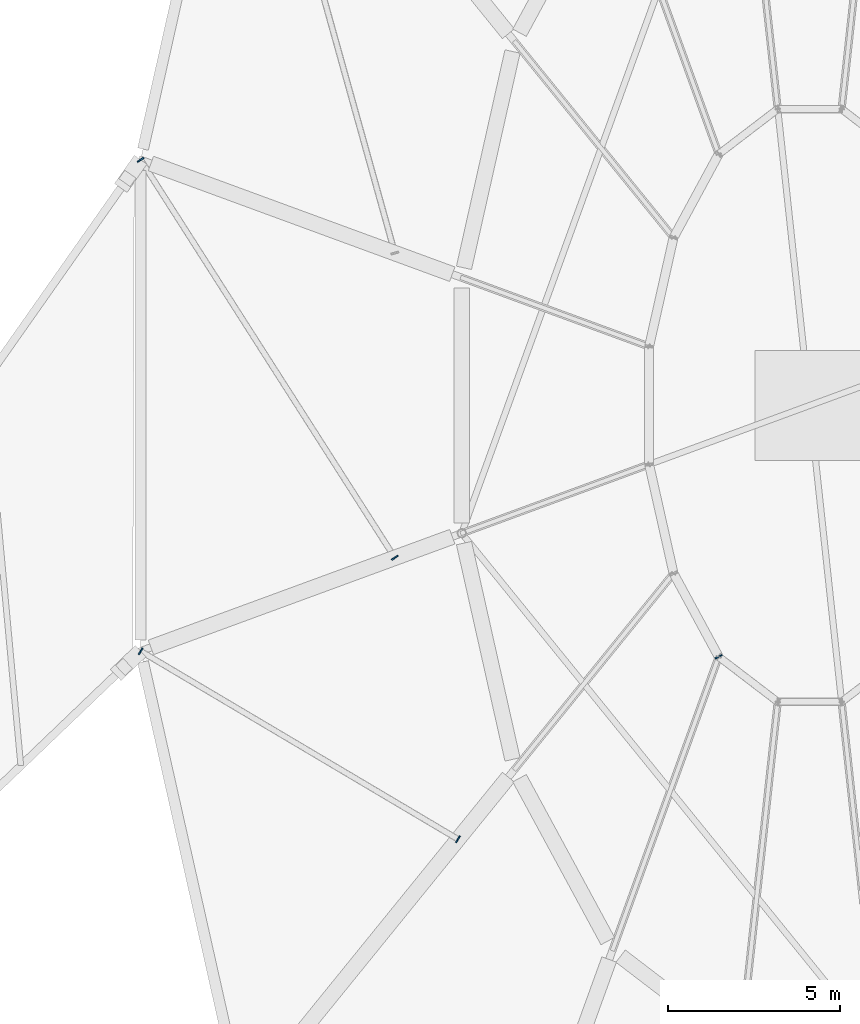
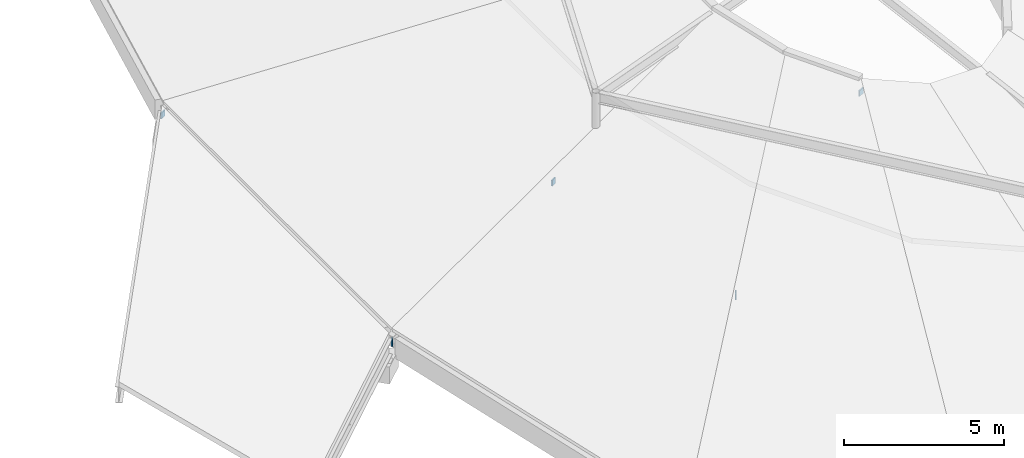
# One storey, part 23 of 39: 5 plates.
"""IFC4 building model written with IfcOpenShell, lengths in metres."""

from ifc_helpers import new_model, si_unit, direction, frame, origin, origin_2d, place, context, subcontext, project, spatial, rectangle, extrude, material, layer, layer_set, type_object, element, save


model = new_model("IFC4")

# Units and contexts
model_context = context("Model", 3, precision=1e-05, world=origin(), true_north=direction((0.0, 1.0)))
body_context = subcontext(model_context, "Body", "Model", "MODEL_VIEW")
ifc_project = project(units=[si_unit("LENGTHUNIT", "METRE"), si_unit("AREAUNIT", "SQUARE_METRE"), si_unit("VOLUMEUNIT", "CUBIC_METRE"), si_unit("PLANEANGLEUNIT", "RADIAN"), si_unit("MASSUNIT", "GRAM", prefix="KILO")], contexts=[model_context])

# Site, building, storey
site_placement = place(None, origin())
site = spatial("IfcSite", under=ifc_project, at=site_placement, CompositionType="ELEMENT")
building_placement = place(site_placement, origin())
building = spatial("IfcBuilding", under=site, at=building_placement, Name="Corvandel Quay Wholesale Market", CompositionType="ELEMENT")
storey_placement = place(building_placement, frame((0.0, 0.0, 15.0)))
storey = spatial("IfcBuildingStorey", under=building, at=storey_placement, Name="L03", CompositionType="ELEMENT", Elevation=15.0)

# Plates
ifc_material = material(Name="Steel A572 Grade 50", Category="steel")
ifc_layer = layer(ifc_material, 0.044921875)
ifc_layer_set = layer_set([ifc_layer], Name="Steel A572 Grade 50")
plate_type = type_object("IfcPlateType", Name="Steel Brace End Cap Plate PLT02 45mm", PredefinedType="SHEET", material=ifc_layer_set)
for number, where, z_axis, x_axis, name in (
    (1, (175.001220703125, 67.1591796875, -0.669921875), (0.0, 0.0, 1.0), (0.842734381236, 0.53832960413, 0.0), "HSS Cap Plate PLT-0069"),
    (2, (182.408935546875, 55.561767578125, 1.19970703125), (0.0, 0.0, 1.0), (0.842734381236, 0.53832960413, 0.0), "HSS Cap Plate PLT-0070"),
    (3, (175.001708984375, 52.837890625, -0.669921875), (0.0, 0.0, 1.0), (0.509792360946, 0.860297476877, 0.0), "HSS Cap Plate PLT-0074"),
    (4, (184.248779296875, 47.35791015625, 1.19970703125), (0.0, 0.0, 1.0), (0.509792360946, 0.860297476877, 0.0), "HSS Cap Plate PLT-0075"),
    (5, (191.847900390625, 52.6767578125, 3.06982421875), (0.0, 0.0, 1.0), (0.879233177551, 0.476391666061, 0.0), "HSS Cap Plate PLT-0078"),
):
    element("IfcPlate", number, at=place(storey_placement, frame(where, z_axis=z_axis, x_axis=x_axis)), inside=storey, type_object=plate_type, Name=name, PredefinedType="SHEET", context=body_context, shape_type="SweptSolid", body=[
        extrude(rectangle(XDim=0.219970703125, YDim=0.044921875, at=origin_2d()), origin(), (0.0, 0.0, 1.0), 0.219970703125),
    ])

save(model, "model.ifc")
